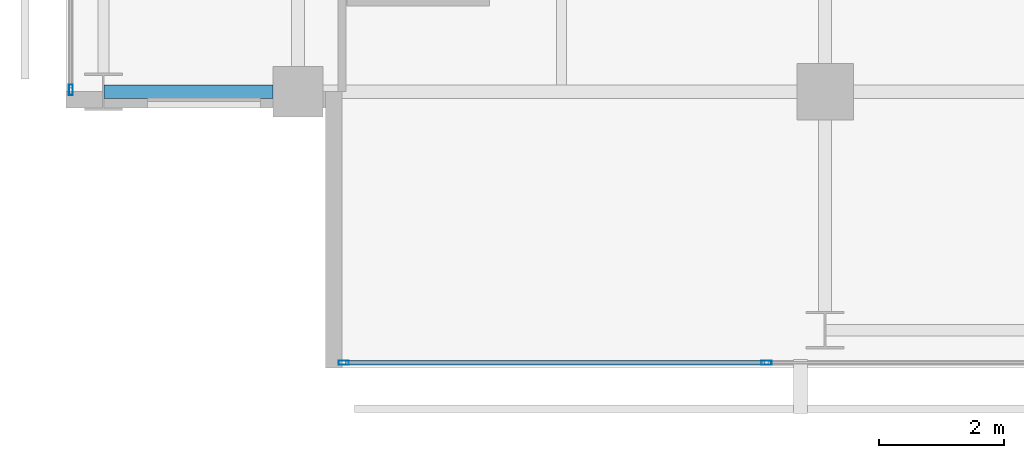
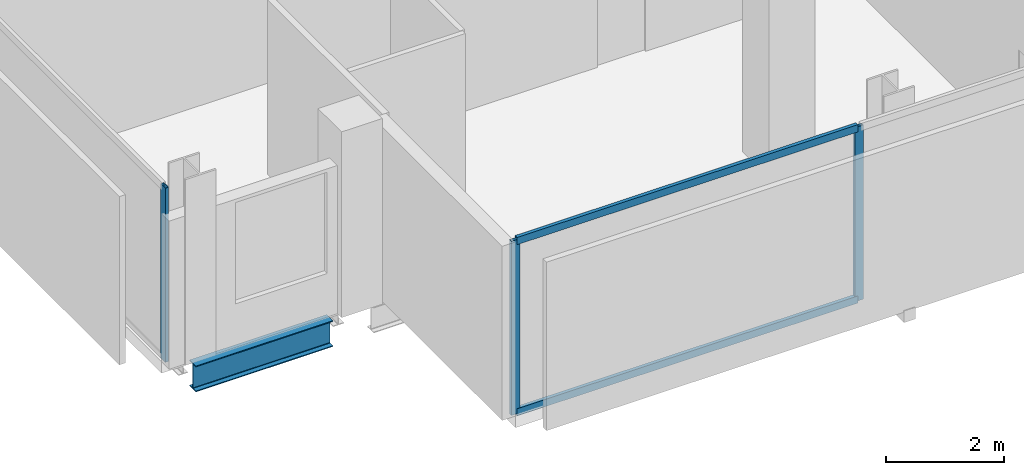
# One storey, part 2 of 32: 5 members, 1 beam, 2 elements without a shape of their own.
"""IFC4 building model written with IfcOpenShell, lengths in metres."""

from ifc_helpers import new_model, si_unit, direction, frame, origin, origin_2d, place, context, subcontext, project, spatial, hollow_rectangle, i_section, extrude, material, layer, layer_set, material_profile, profile_set, type_object, element, aggregate, save


model = new_model("IFC4")

# Units and contexts
model_context = context("Model", 3, precision=1e-05, world=origin(), true_north=direction((0.0, 1.0)))
body_context = subcontext(model_context, "Body", "Model", "MODEL_VIEW")
ifc_project = project(units=[si_unit("LENGTHUNIT", "METRE"), si_unit("AREAUNIT", "SQUARE_METRE"), si_unit("VOLUMEUNIT", "CUBIC_METRE"), si_unit("PLANEANGLEUNIT", "RADIAN"), si_unit("MASSUNIT", "GRAM", prefix="KILO")], contexts=[model_context])

# Site, building, storey
site_placement = place(None, origin())
site = spatial("IfcSite", under=ifc_project, at=site_placement, CompositionType="ELEMENT")
building_placement = place(site_placement, origin())
building = spatial("IfcBuilding", under=site, at=building_placement, Name="Maruvema Waterfront Hotel and Observation Tower", CompositionType="ELEMENT")
storey_placement = place(building_placement, frame((0.0, 0.0, 219.800048828125)))
storey = spatial("IfcBuildingStorey", under=building, at=storey_placement, Name="L54", CompositionType="ELEMENT", Elevation=219.800048828125)

# Curtain wall, members
ifc_material_1 = material(Name="Anodised bronze aluminium and solar-control low-E IGU", Category="aluminium")
ifc_layer = layer(ifc_material_1, 0.159912109375, Name="Zone 2 Amber Inner Thermal Curtain Wall System CW-03")
ifc_layer_set = layer_set([ifc_layer], Name="Anodised bronze aluminium and solar-control low-E IGU")
curtain_wall_type = type_object("IfcCurtainWallType", Name="Zone 2 Amber Inner Thermal Curtain Wall System CW-03", PredefinedType="USERDEFINED", material=ifc_layer_set)
curtain_wall_1_placement = place(storey_placement, origin())
curtain_wall_1 = element("IfcCurtainWall", 1, at=curtain_wall_1_placement, inside=storey, type_object=curtain_wall_type, Name="L54 Curtain Wall CW-L54-S", ObjectType="UNITISED CURTAIN WALL", PredefinedType="USERDEFINED")
ifc_material_2 = material(Name="Anodised architectural bronze aluminium", Category="aluminium")
ifc_material_profile_1 = material_profile(ifc_material_2, hollow_rectangle(XDim=0.070068359375, YDim=0.14990234375, WallThickness=0.00390625, at=origin_2d()), Name="ALU-T70x150")
ifc_profile_set_1 = profile_set([ifc_material_profile_1], Name="Anodised architectural bronze aluminium")
member_type_1 = type_object("IfcMemberType", Name="Curtain Wall Horizontal Transom ALU-T70x150", PredefinedType="USERDEFINED", material=ifc_profile_set_1)
member_1_placement = place(storey_placement, frame((17.56005859375, 4.679931640625, 0.030029296875), z_axis=(1.0, 0.0, 0.0), x_axis=(0.0, 1.0, 0.0)))
member_1 = element("IfcMember", 2, at=member_1_placement, type_object=member_type_1, Name="CW-03 transom 1.1", ObjectType="TRANSOM", PredefinedType="USERDEFINED", context=body_context, shape_type="SweptSolid", body=[
    extrude(hollow_rectangle(XDim=0.070068359375, YDim=0.14990234375, WallThickness=0.00390625, at=origin_2d()), origin(), (0.0, 0.0, 1.0), 6.676513671875),
])
member_2_placement = place(storey_placement, frame((17.56005859375, 4.679931640625, 3.579833984375), z_axis=(1.0, 0.0, 0.0), x_axis=(0.0, 1.0, 0.0)))
member_2 = element("IfcMember", 3, at=member_2_placement, type_object=member_type_1, Name="CW-03 transom 1.2", ObjectType="TRANSOM", PredefinedType="USERDEFINED", context=body_context, shape_type="SweptSolid", body=[
    extrude(hollow_rectangle(XDim=0.070068359375, YDim=0.14990234375, WallThickness=0.00390625, at=origin_2d()), origin(), (0.0, 0.0, 1.0), 6.676513671875),
])
ifc_material_3 = material(Name="Anodised architectural bronze aluminium", Category="aluminium")
ifc_material_profile_2 = material_profile(ifc_material_3, hollow_rectangle(XDim=0.06494140625, YDim=0.1650390625, WallThickness=0.00390625, at=origin_2d()), Name="ALU-M65x165")
ifc_profile_set_2 = profile_set([ifc_material_profile_2], Name="Anodised architectural bronze aluminium")
member_type_2 = type_object("IfcMemberType", Name="Curtain Wall Primary Mullion ALU-M65x165", PredefinedType="MULLION", material=ifc_profile_set_2)
member_3_placement = place(storey_placement, frame((17.530029296875, 4.679931640625, 0.0), z_axis=(0.0, 0.0, 1.0), x_axis=(0.0, 1.0, 0.0)))
member_3 = element("IfcMember", 4, at=member_3_placement, type_object=member_type_2, Name="CW-03 mullion 1", PredefinedType="MULLION", context=body_context, shape_type="SweptSolid", body=[
    extrude(hollow_rectangle(XDim=0.06494140625, YDim=0.1650390625, WallThickness=0.00390625, at=origin_2d()), origin(), (0.0, 0.0, 1.0), 3.60986328125),
])
member_4_placement = place(storey_placement, frame((24.2666015625, 4.679931640625, 0.0), z_axis=(0.0, 0.0, 1.0), x_axis=(0.0, 1.0, 0.0)))
member_4 = element("IfcMember", 5, at=member_4_placement, type_object=member_type_2, Name="CW-03 mullion 2", PredefinedType="MULLION", context=body_context, shape_type="SweptSolid", body=[
    extrude(hollow_rectangle(XDim=0.06494140625, YDim=0.1650390625, WallThickness=0.00390625, at=origin_2d()), origin(), (0.0, 0.0, 1.0), 3.60986328125),
])
aggregate(curtain_wall_1, [member_3, member_4, member_1, member_2])

# Curtain wall, member
curtain_wall_2_placement = place(storey_placement, origin())
curtain_wall_2 = element("IfcCurtainWall", 6, at=curtain_wall_2_placement, inside=storey, type_object=curtain_wall_type, Name="L54 Curtain Wall CW-L54-W", ObjectType="UNITISED CURTAIN WALL", PredefinedType="USERDEFINED")
member_5_placement = place(storey_placement, frame((13.179931640625, 9.030029296875, 0.0), z_axis=(0.0, 0.0, 1.0), x_axis=(1.0, 0.0, 0.0)))
member_5 = element("IfcMember", 7, at=member_5_placement, type_object=member_type_2, Name="CW-03 mullion 7", PredefinedType="MULLION", context=body_context, shape_type="SweptSolid", body=[
    extrude(hollow_rectangle(XDim=0.06494140625, YDim=0.1650390625, WallThickness=0.00390625, at=origin_2d()), origin(), (0.0, 0.0, 1.0), 3.60986328125),
])
aggregate(curtain_wall_2, [member_5])

# Beam
ifc_material_4 = material(Name="Steel ASTM A572 Grade 50", Category="steel")
ifc_material_profile_3 = material_profile(ifc_material_4, i_section(OverallWidth=0.2109375, OverallDepth=0.5390625, WebThickness=0.01171875, FlangeThickness=0.018798828125, FilletRadius=0.014892578125, at=origin_2d()), Name="W530x109.0")
ifc_profile_set_3 = profile_set([ifc_material_profile_3], Name="Steel ASTM A572 Grade 50")
beam_type = type_object("IfcBeamType", Name="Primary Floor Girder W530x109.0", PredefinedType="BEAM", material=ifc_profile_set_3)
beam_placement = place(storey_placement, frame((13.71240234375, 9.0, -0.509521484375), z_axis=(1.0, 0.0, 0.0), x_axis=(0.0, 1.0, 0.0)))
element("IfcBeam", 8, at=beam_placement, inside=storey, type_object=beam_type, Name="L54 Floor Girder EW-04", PredefinedType="BEAM", context=body_context, shape_type="SweptSolid", body=[
    extrude(i_section(OverallWidth=0.2109375, OverallDepth=0.5390625, WebThickness=0.01171875, FlangeThickness=0.018798828125, FilletRadius=0.014892578125, at=origin_2d()), origin(), (0.0, 0.0, 1.0), 2.6875),
])

save(model, "model.ifc")
